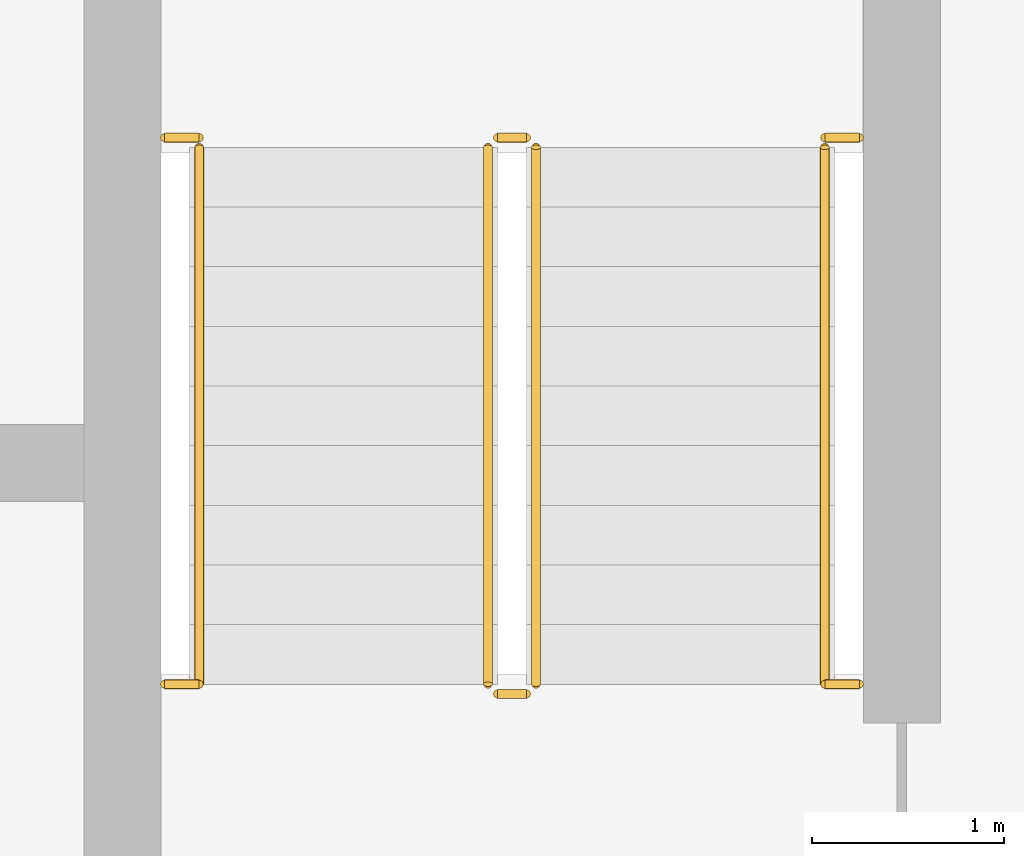
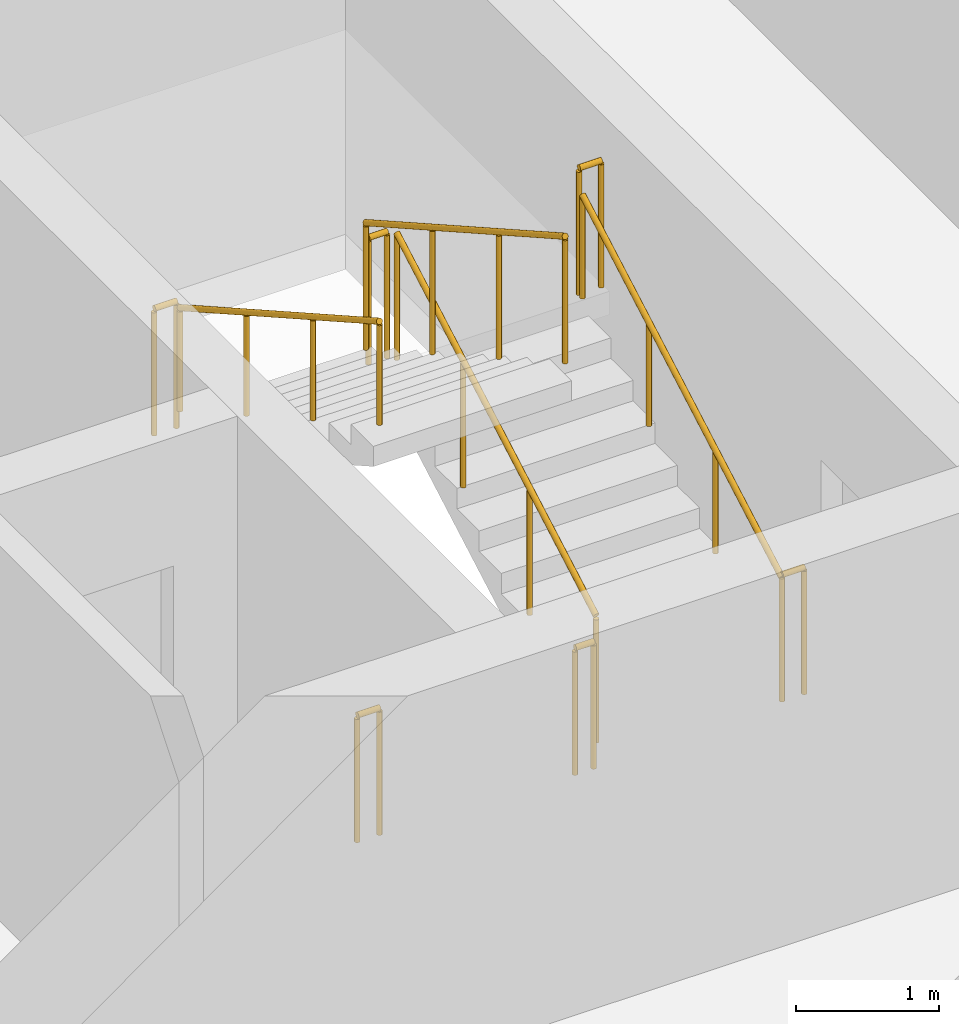
# One storey, part 20 of 22: 10 railings.
"""IFC4 building model written with IfcOpenShell, lengths in metres."""

from ifc_helpers import new_model, si_unit, direction, frame, origin, origin_2d, place, context, subcontext, project, spatial, circle, extrude, material, type_object, element, save


model = new_model("IFC4")

# Units and contexts
model_context = context("Model", 3, precision=1e-05, world=origin(), true_north=direction((0.0, 1.0)))
body_context = subcontext(model_context, "Body", "Model", "MODEL_VIEW")
ifc_project = project(units=[si_unit("LENGTHUNIT", "METRE"), si_unit("AREAUNIT", "SQUARE_METRE"), si_unit("VOLUMEUNIT", "CUBIC_METRE"), si_unit("PLANEANGLEUNIT", "RADIAN"), si_unit("MASSUNIT", "GRAM", prefix="KILO")], contexts=[model_context])

# Site, building, storey
site_placement = place(None, origin())
site = spatial("IfcSite", under=ifc_project, at=site_placement, CompositionType="ELEMENT")
building_placement = place(site_placement, origin())
building = spatial("IfcBuilding", under=site, at=building_placement, Name="Madar Terraces", CompositionType="ELEMENT")
storey_placement = place(building_placement, frame((0.0, 0.0, 282.60009765625)))
storey = spatial("IfcBuildingStorey", under=building, at=storey_placement, Name="L74", CompositionType="ELEMENT", Elevation=282.60009765625)

# Railings
ifc_material_1 = material(Name="Stainless steel railing", Category="steel")
railing_type_1 = type_object("IfcRailingType", Name="Stair guard 1100", PredefinedType="GUARDRAIL", material=ifc_material_1)
railing_1_placement = place(storey_placement, frame((41.449951171875, 17.60009765625, 0.1748046875)))
element("IfcRailing", 1, at=railing_1_placement, inside=storey, type_object=railing_type_1, Name="L74 ST3 stair guard 1", PredefinedType="GUARDRAIL", context=body_context, shape_type="SweptSolid", body=[
    extrude(circle(Radius=0.02392578125, at=origin_2d()), frame((0.0, 0.0, 1.076171875), z_axis=(0.0, 0.870782738816, 0.491667999549), x_axis=(-1.0, 0.0, 0.0)), (0.0, 0.0, 1.0), 3.203857421875),
    extrude(circle(Radius=0.02099609375, at=origin_2d()), origin(), (0.0, 0.0, 1.0), 1.052001953125),
    extrude(circle(Radius=0.02099609375, at=origin_2d()), frame((0.0, 0.929931640625, 0.525146484375)), (0.0, 0.0, 1.0), 1.052001953125),
    extrude(circle(Radius=0.02099609375, at=origin_2d()), frame((0.0, 1.85986328125, 1.050048828125)), (0.0, 0.0, 1.0), 1.052001953125),
    extrude(circle(Radius=0.02099609375, at=origin_2d()), frame((0.0, 2.789794921875, 1.5751953125)), (0.0, 0.0, 1.0), 1.052001953125),
])
railing_2_placement = place(storey_placement, frame((41.39990234375, 20.43994140625, 1.75)))
element("IfcRailing", 2, at=railing_2_placement, inside=storey, type_object=railing_type_1, Name="L74 ST3 stair guard 2", PredefinedType="GUARDRAIL", context=body_context, shape_type="SweptSolid", body=[
    extrude(circle(Radius=0.02392578125, at=origin_2d()), frame((0.0, 0.0, 1.076171875), z_axis=(-1.0, 0.0, 0.0), x_axis=(0.0, -1.0, 0.0)), (0.0, 0.0, 1.0), 0.14990234375),
    extrude(circle(Radius=0.02099609375, at=origin_2d()), origin(), (0.0, 0.0, 1.0), 1.052001953125),
    extrude(circle(Radius=0.02099609375, at=origin_2d()), frame((-0.14990234375, 0.0, 0.0)), (0.0, 0.0, 1.0), 1.052001953125),
])
railing_3_placement = place(storey_placement, frame((41.199951171875, 20.389892578125, 1.9248046875)))
element("IfcRailing", 3, at=railing_3_placement, inside=storey, type_object=railing_type_1, Name="L74 ST3 stair guard 3", PredefinedType="GUARDRAIL", context=body_context, shape_type="SweptSolid", body=[
    extrude(circle(Radius=0.02392578125, at=origin_2d()), frame((0.0, 0.0, 1.076171875), z_axis=(0.0, -0.870782738816, 0.491667999549), x_axis=(1.0, 0.0, 0.0)), (0.0, 0.0, 1.0), 3.203857421875),
    extrude(circle(Radius=0.02099609375, at=origin_2d()), origin(), (0.0, 0.0, 1.0), 1.052001953125),
    extrude(circle(Radius=0.02099609375, at=origin_2d()), frame((0.0, -0.929931640625, 0.525146484375)), (0.0, 0.0, 1.0), 1.052001953125),
    extrude(circle(Radius=0.02099609375, at=origin_2d()), frame((0.0, -1.85986328125, 1.050048828125)), (0.0, 0.0, 1.0), 1.052001953125),
    extrude(circle(Radius=0.02099609375, at=origin_2d()), frame((0.0, -2.789794921875, 1.5751953125)), (0.0, 0.0, 1.0), 1.052001953125),
])
railing_4_placement = place(storey_placement, frame((41.39990234375, 17.550048828125, 0.0)))
element("IfcRailing", 4, at=railing_4_placement, inside=storey, type_object=railing_type_1, Name="L74 ST3 stair guard 4", PredefinedType="GUARDRAIL", context=body_context, shape_type="SweptSolid", body=[
    extrude(circle(Radius=0.02392578125, at=origin_2d()), frame((0.0, 0.0, 1.076171875), z_axis=(-1.0, 0.0, 0.0), x_axis=(0.0, -1.0, 0.0)), (0.0, 0.0, 1.0), 0.14990234375),
    extrude(circle(Radius=0.02099609375, at=origin_2d()), origin(), (0.0, 0.0, 1.0), 1.052001953125),
    extrude(circle(Radius=0.02099609375, at=origin_2d()), frame((-0.14990234375, 0.0, 0.0)), (0.0, 0.0, 1.0), 1.052001953125),
])
for number, where, name in (
    (5, (39.52001953125, 20.43994140625, 1.75), "L74 stair guard seat 1"),
    (6, (42.949951171875, 20.43994140625, 1.75), "L74 stair guard seat 2"),
    (7, (39.52001953125, 17.60009765625, 0.0), "L74 stair guard floor 1"),
    (8, (42.949951171875, 17.60009765625, 0.0), "L74 stair guard floor 2"),
):
    element("IfcRailing", number, at=place(storey_placement, frame(where)), inside=storey, type_object=railing_type_1, Name=name, PredefinedType="GUARDRAIL", context=body_context, shape_type="SweptSolid", body=[
        extrude(circle(Radius=0.02392578125, at=origin_2d()), frame((0.0, 0.0, 1.076171875), z_axis=(1.0, 0.0, 0.0), x_axis=(0.0, 1.0, 0.0)), (0.0, 0.0, 1.0), 0.179931640625),
        extrude(circle(Radius=0.02099609375, at=origin_2d()), origin(), (0.0, 0.0, 1.0), 1.052001953125),
        extrude(circle(Radius=0.02099609375, at=origin_2d()), frame((0.179931640625, 0.0, 0.0)), (0.0, 0.0, 1.0), 1.052001953125),
    ])
ifc_material_2 = material(Name="Stainless steel railing", Category="steel")
railing_type_2 = type_object("IfcRailingType", Name="Stair handrail 900", PredefinedType="HANDRAIL", material=ifc_material_2)
railing_5_placement = place(storey_placement, frame((42.949951171875, 17.60009765625, 0.1748046875)))
element("IfcRailing", 9, at=railing_5_placement, inside=storey, type_object=railing_type_2, Name="L74 ST3 stair handrail 1", PredefinedType="HANDRAIL", context=body_context, shape_type="SweptSolid", body=[
    extrude(circle(Radius=0.02392578125, at=origin_2d()), frame((0.0, 0.0, 0.8759765625), z_axis=(0.0, 0.870782738816, 0.491667999549), x_axis=(-1.0, 0.0, 0.0)), (0.0, 0.0, 1.0), 3.203857421875),
    extrude(circle(Radius=0.02099609375, at=origin_2d()), origin(), (0.0, 0.0, 1.0), 0.851806640625),
    extrude(circle(Radius=0.02099609375, at=origin_2d()), frame((0.0, 0.929931640625, 0.525146484375)), (0.0, 0.0, 1.0), 0.851806640625),
    extrude(circle(Radius=0.02099609375, at=origin_2d()), frame((0.0, 1.85986328125, 1.050048828125)), (0.0, 0.0, 1.0), 0.851806640625),
    extrude(circle(Radius=0.02099609375, at=origin_2d()), frame((0.0, 2.789794921875, 1.5751953125)), (0.0, 0.0, 1.0), 0.851806640625),
])
railing_6_placement = place(storey_placement, frame((39.699951171875, 20.389892578125, 1.9248046875)))
element("IfcRailing", 10, at=railing_6_placement, inside=storey, type_object=railing_type_2, Name="L74 ST3 stair handrail 2", PredefinedType="HANDRAIL", context=body_context, shape_type="SweptSolid", body=[
    extrude(circle(Radius=0.02392578125, at=origin_2d()), frame((0.0, 0.0, 0.8759765625), z_axis=(0.0, -0.870782738816, 0.491667999549), x_axis=(1.0, 0.0, 0.0)), (0.0, 0.0, 1.0), 3.203857421875),
    extrude(circle(Radius=0.02099609375, at=origin_2d()), origin(), (0.0, 0.0, 1.0), 0.851806640625),
    extrude(circle(Radius=0.02099609375, at=origin_2d()), frame((0.0, -0.929931640625, 0.525146484375)), (0.0, 0.0, 1.0), 0.851806640625),
    extrude(circle(Radius=0.02099609375, at=origin_2d()), frame((0.0, -1.85986328125, 1.050048828125)), (0.0, 0.0, 1.0), 0.851806640625),
    extrude(circle(Radius=0.02099609375, at=origin_2d()), frame((0.0, -2.789794921875, 1.5751953125)), (0.0, 0.0, 1.0), 0.851806640625),
])

save(model, "model.ifc")
